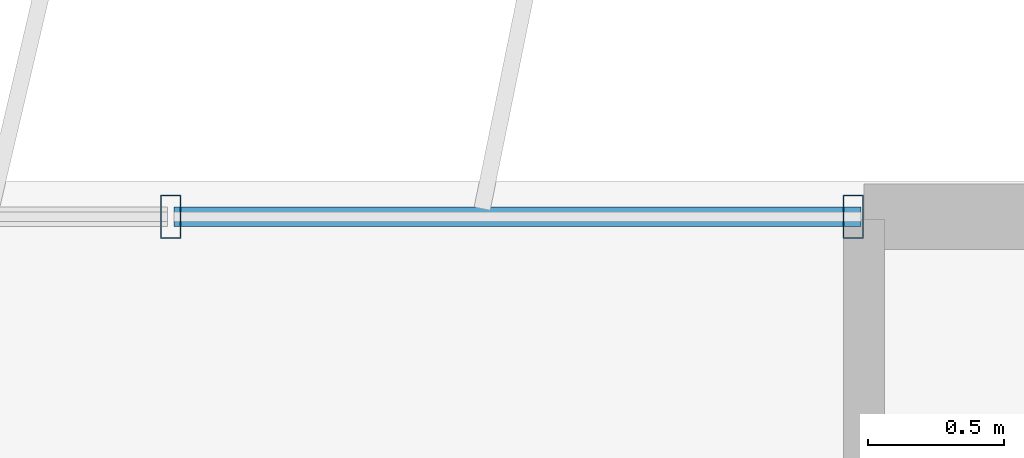
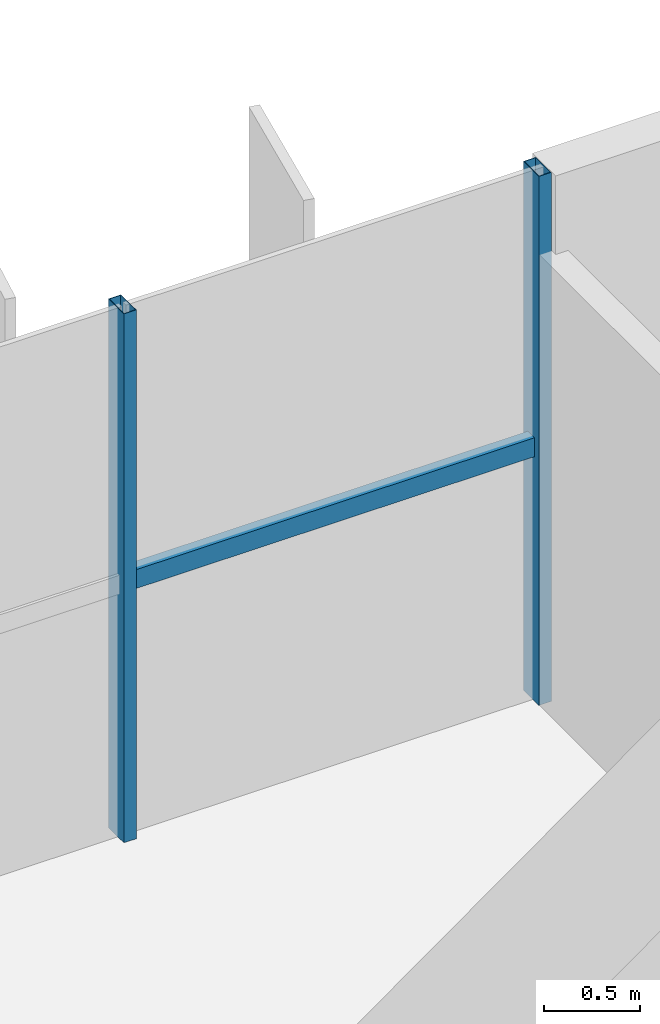
# One storey, part 14 of 22: 3 members, 1 element without a shape of its own.
"""IFC4 building model written with IfcOpenShell, lengths in metres."""

from ifc_helpers import new_model, si_unit, direction, frame, origin, origin_2d, place, context, subcontext, project, spatial, hollow_rectangle, extrude, source, transform, mapped, material, material_profile, profile_set, type_object, element, aggregate, save


model = new_model("IFC4")

# Units and contexts
model_context = context("Model", 3, precision=1e-05, world=origin(), true_north=direction((0.0, 1.0)))
body_context = subcontext(model_context, "Body", "Model", "MODEL_VIEW")
ifc_project = project(units=[si_unit("LENGTHUNIT", "METRE"), si_unit("AREAUNIT", "SQUARE_METRE"), si_unit("VOLUMEUNIT", "CUBIC_METRE"), si_unit("PLANEANGLEUNIT", "RADIAN"), si_unit("MASSUNIT", "GRAM", prefix="KILO")], contexts=[model_context])

# Site, building, storey
site_placement = place(None, origin())
site = spatial("IfcSite", under=ifc_project, at=site_placement, CompositionType="ELEMENT")
building_placement = place(site_placement, origin())
building = spatial("IfcBuilding", under=site, at=building_placement, Name="Trelvane Seafront Commons", CompositionType="ELEMENT")
storey_placement = place(building_placement, frame((0.0, 0.0, 277.5)))
storey = spatial("IfcBuildingStorey", under=building, at=storey_placement, Name="L72", CompositionType="ELEMENT", Elevation=277.5)

# Curtain wall, members
ifc_material = material(Name="Anodised pale-silver aluminium", Category="aluminium")
curtain_wall_type = type_object("IfcCurtainWallType", Name="ARCH-CW5-UPTOWER", PredefinedType="NOTDEFINED", material=ifc_material)
curtain_wall_placement = place(storey_placement, origin())
curtain_wall = element("IfcCurtainWall", 1, at=curtain_wall_placement, inside=storey, type_object=curtain_wall_type, Name="CW-L72-0116", PredefinedType="NOTDEFINED")
ifc_material_profile_1 = material_profile(ifc_material, hollow_rectangle(XDim=0.070068359375, YDim=0.1201171875, WallThickness=0.00390625, at=origin_2d()), Name="TRAN-70x120x4")
ifc_profile_set_1 = profile_set([ifc_material_profile_1], Name="Anodised pale-silver aluminium")
member_type_1 = type_object("IfcMemberType", Name="ARCH-CW-TRAN-120", PredefinedType="USERDEFINED", material=ifc_profile_set_1)
shared_shape_1 = source(origin(), body_context, "Body", "SweptSolid", [
    extrude(hollow_rectangle(XDim=0.070068359375, YDim=0.1201171875, WallThickness=0.00390625, at=origin_2d()), origin(), (0.0, 0.0, 1.0), 2.517333984375),
])
member_1_placement = place(storey_placement, frame((56.270751953125, 48.3701171875, 1.617919921875), z_axis=(1.0, 0.0, 0.0), x_axis=(0.0, 1.0, 0.0)))
member_1 = element("IfcMember", 2, at=member_1_placement, type_object=member_type_1, Name="CW-L72-0116-T16", ObjectType="TRANSOM", PredefinedType="USERDEFINED", context=body_context, shape_type="MappedRepresentation", body=[
    mapped(shared_shape_1, transform((0.0, 0.0, 0.0), x_axis=(1.0, 0.0, 0.0), y_axis=(0.0, 1.0, 0.0), z_axis=(0.0, 0.0, 1.0), scale=1.0)),
])
ifc_material_profile_2 = material_profile(ifc_material, hollow_rectangle(XDim=0.074951171875, YDim=0.159912109375, WallThickness=0.00390625, at=origin_2d()), Name="MULL-75x160x4")
ifc_profile_set_2 = profile_set([ifc_material_profile_2], Name="Anodised pale-silver aluminium")
member_type_2 = type_object("IfcMemberType", Name="ARCH-CW-MULL-160", PredefinedType="MULLION", material=ifc_profile_set_2)
shared_shape_2 = source(origin(), body_context, "Body", "SweptSolid", [
    extrude(hollow_rectangle(XDim=0.074951171875, YDim=0.159912109375, WallThickness=0.00390625, at=origin_2d()), origin(), (0.0, 0.0, 1.0), 3.3701171875),
])
member_2_placement = place(storey_placement, frame((56.2587890625, 48.3701171875, 0.0), z_axis=(0.0, 0.0, 1.0), x_axis=(1.0, 0.0, 0.0)))
member_2 = element("IfcMember", 3, at=member_2_placement, type_object=member_type_2, Name="CW-L72-0116-M16", PredefinedType="MULLION", context=body_context, shape_type="MappedRepresentation", body=[
    mapped(shared_shape_2, transform((0.0, 0.0, 0.0), x_axis=(1.0, 0.0, 0.0), y_axis=(0.0, 1.0, 0.0), z_axis=(0.0, 0.0, 1.0), scale=1.0)),
])
member_3_placement = place(storey_placement, frame((58.760009765625, 48.3701171875, 0.0), z_axis=(0.0, 0.0, 1.0), x_axis=(1.0, 0.0, 0.0)))
member_3 = element("IfcMember", 4, at=member_3_placement, type_object=member_type_2, Name="CW-L72-0116-M17", PredefinedType="MULLION", context=body_context, shape_type="MappedRepresentation", body=[
    mapped(shared_shape_2, transform((0.0, 0.0, 0.0), x_axis=(1.0, 0.0, 0.0), y_axis=(0.0, 1.0, 0.0), z_axis=(0.0, 0.0, 1.0), scale=1.0)),
])
aggregate(curtain_wall, [member_2, member_3, member_1])

save(model, "model.ifc")
